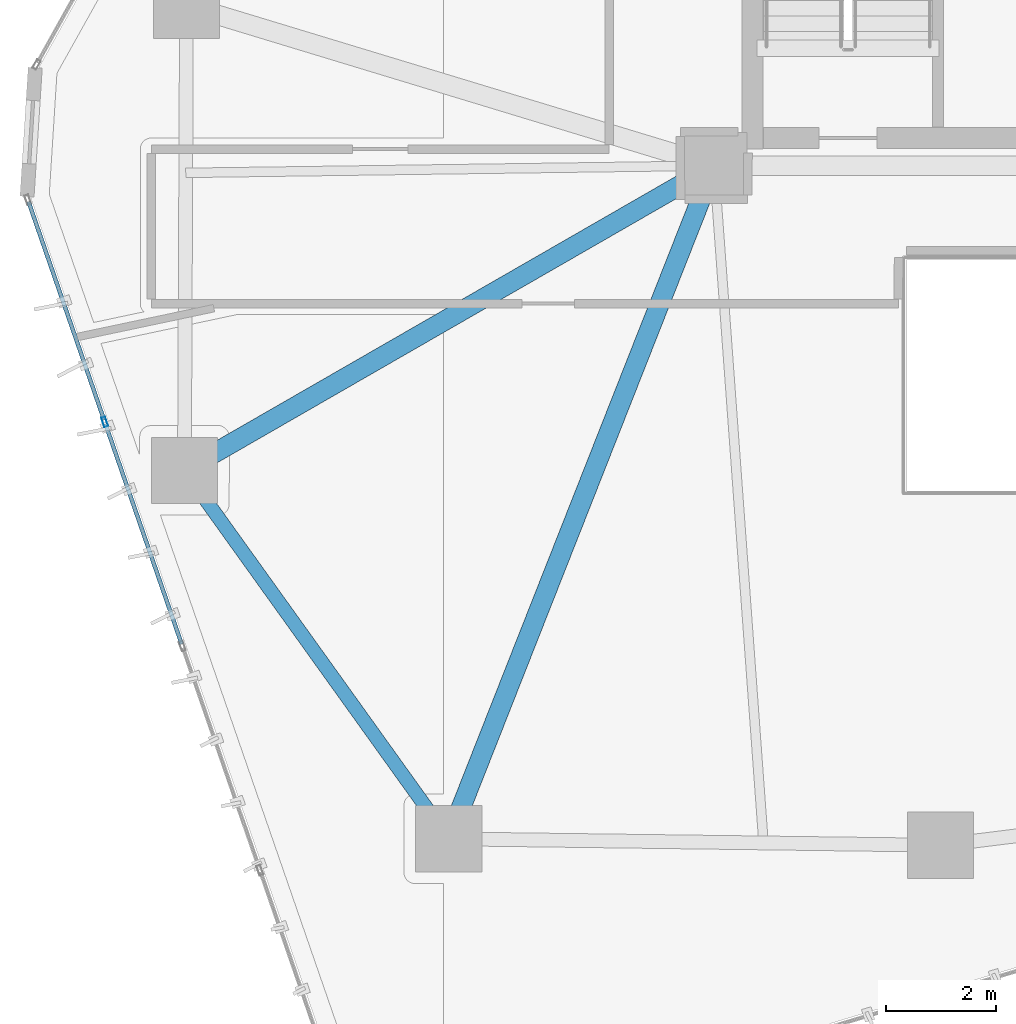
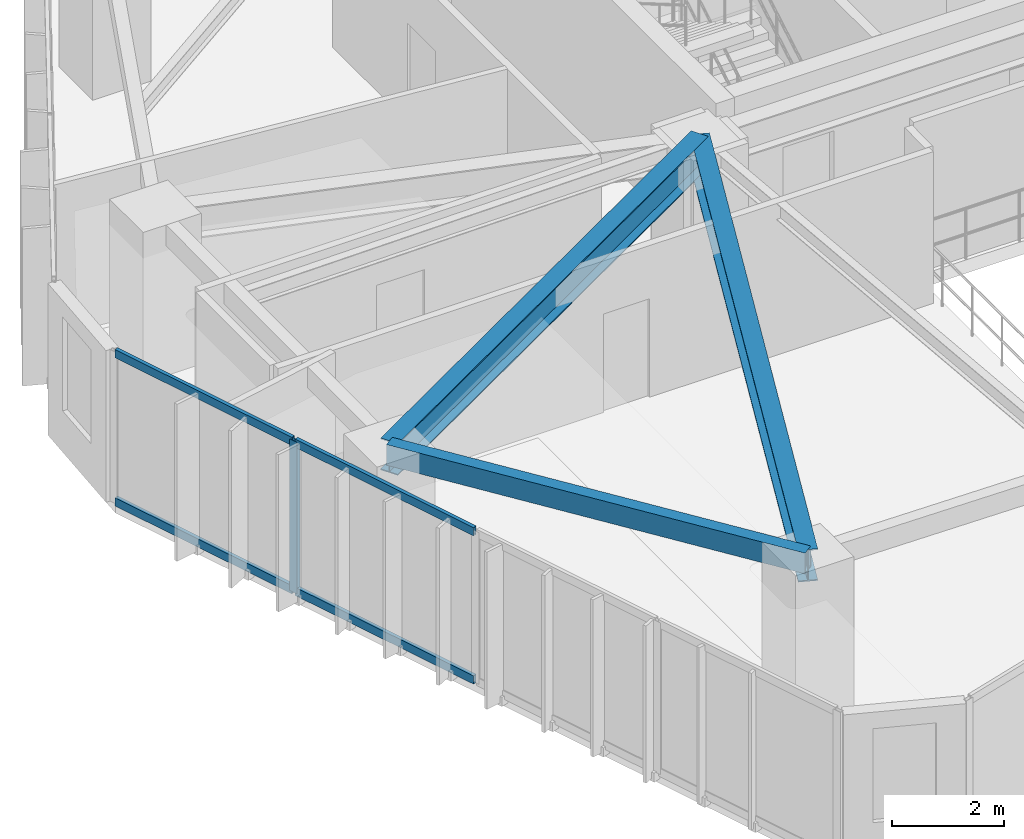
# One storey, part 3 of 21: 5 members, 3 beams, 1 element without a shape of its own.
"""IFC4 building model written with IfcOpenShell, lengths in metres."""

from ifc_helpers import new_model, si_unit, direction, frame, origin, origin_2d, place, context, subcontext, project, spatial, hollow_rectangle, i_section, extrude, source, transform, mapped, material, layer, layer_set, material_profile, profile_set, type_object, type_shapes, element, aggregate, save


model = new_model("IFC4")

# Units and contexts
model_context = context("Model", 3, precision=1e-05, world=origin(), true_north=direction((0.0, 1.0)))
body_context = subcontext(model_context, "Body", "Model", "MODEL_VIEW")
ifc_project = project(units=[si_unit("LENGTHUNIT", "METRE"), si_unit("AREAUNIT", "SQUARE_METRE"), si_unit("VOLUMEUNIT", "CUBIC_METRE"), si_unit("PLANEANGLEUNIT", "RADIAN"), si_unit("MASSUNIT", "GRAM", prefix="KILO")], contexts=[model_context])

# Site, building, storey
site_placement = place(None, origin())
site = spatial("IfcSite", under=ifc_project, at=site_placement, CompositionType="ELEMENT")
building_placement = place(site_placement, origin())
building = spatial("IfcBuilding", under=site, at=building_placement, Name="Talar Marvaseh", CompositionType="ELEMENT")
storey_placement = place(building_placement, frame((0.0, 0.0, 139.800048828125)))
storey = spatial("IfcBuildingStorey", under=building, at=storey_placement, Name="L36", CompositionType="ELEMENT", Elevation=139.800048828125)

# Beams
ifc_material_1 = material(Name="Steel S355", Category="steel")
ifc_material_profile_1 = material_profile(ifc_material_1, hollow_rectangle(XDim=0.25, YDim=0.449951171875, WallThickness=0.01611328125, at=origin_2d()), Name="RHS450x250x16")
ifc_profile_set_1 = profile_set([ifc_material_profile_1], Name="Steel S355")
beam_type_1 = type_object("IfcBeamType", Name="Zone 2 Perimeter Spandrel Beam RHS450x250x16", PredefinedType="SPANDREL", material=ifc_profile_set_1)
beam_1_placement = place(storey_placement, frame((13.89111328125, 13.299072265625, 3.0849609375), z_axis=(-0.582852871994, 0.812577706812, 0.0), x_axis=(-0.812577706812, -0.582852871994, 0.0)))
element("IfcBeam", 1, at=beam_1_placement, inside=storey, type_object=beam_type_1, Name="L36 Zone 2 Perimeter Spandrel Beam RHS450x250x16", PredefinedType="SPANDREL", context=body_context, shape_type="SweptSolid", body=[
    extrude(hollow_rectangle(XDim=0.25, YDim=0.449951171875, WallThickness=0.01611328125, at=origin_2d()), origin(), (0.0, 0.0, 1.0), 8.21826171875),
])
ifc_material_profile_2 = material_profile(ifc_material_1, i_section(OverallWidth=0.35498046875, OverallDepth=0.695068359375, WebThickness=0.015380859375, FlangeThickness=0.02490234375, at=origin_2d()), Name="W690x217")
ifc_profile_set_2 = profile_set([ifc_material_profile_2], Name="Steel S355")
beam_type_2 = type_object("IfcBeamType", Name="Zone 2 Radial Floor Girder W690x217", PredefinedType="BEAM", material=ifc_profile_set_2)
beam_2_placement = place(storey_placement, frame((13.89111328125, 13.299072265625, 2.96240234375), z_axis=(0.366683712786, 0.930345664136, 0.0), x_axis=(-0.930345664136, 0.366683712786, 0.0)))
element("IfcBeam", 2, at=beam_2_placement, inside=storey, type_object=beam_type_2, Name="L36 Zone 2 Radial Floor Girder W690x217", PredefinedType="BEAM", context=body_context, shape_type="SweptSolid", body=[
    extrude(i_section(OverallWidth=0.35498046875, OverallDepth=0.695068359375, WebThickness=0.015380859375, FlangeThickness=0.02490234375, at=origin_2d()), origin(), (0.0, 0.0, 1.0), 13.114501953125),
])
beam_3_placement = place(storey_placement, frame((9.10107421875, 19.97705078125, 2.96240234375), z_axis=(0.866765990926, 0.498715065919, 0.0), x_axis=(-0.498715065919, 0.866765990926, 0.0)))
element("IfcBeam", 3, at=beam_3_placement, inside=storey, type_object=beam_type_2, Name="L36 Zone 2 Radial Floor Girder W690x217", PredefinedType="BEAM", context=body_context, shape_type="SweptSolid", body=[
    extrude(i_section(OverallWidth=0.35498046875, OverallDepth=0.695068359375, WebThickness=0.015380859375, FlangeThickness=0.02490234375, at=origin_2d()), origin(), (0.0, 0.0, 1.0), 11.074462890625),
])

# Curtain wall, members
ifc_material_2 = material(Name="Architectural Aluminium", Category="aluminium")
ifc_layer = layer(ifc_material_2, 0.199951171875)
ifc_layer_set = layer_set([ifc_layer], Name="Architectural Aluminium")
curtain_wall_type = type_object("IfcCurtainWallType", Name="Unitised Acoustic Library Curtain Wall Z2", PredefinedType="NOTDEFINED", material=ifc_layer_set)
curtain_wall_placement = place(storey_placement, origin())
curtain_wall = element("IfcCurtainWall", 4, at=curtain_wall_placement, inside=storey, type_object=curtain_wall_type, Name="L36 Unitised Acoustic Library Curtain Wall Z2", PredefinedType="NOTDEFINED")
ifc_material_profile_3 = material_profile(ifc_material_2, hollow_rectangle(XDim=0.074951171875, YDim=0.179931640625, WallThickness=0.0048828125, at=origin_2d()), Name="RHS180x75x5")
ifc_profile_set_3 = profile_set([ifc_material_profile_3], Name="Architectural Aluminium")
member_type_1 = type_object("IfcMemberType", Name="Unitised Curtain Wall Standard Mullion RHS180x75x5", PredefinedType="MULLION", material=ifc_profile_set_3)
shared_shape_1 = source(origin(), body_context, "Body", "SweptSolid", [
    extrude(hollow_rectangle(XDim=0.074951171875, YDim=0.179931640625, WallThickness=0.0048828125, at=origin_2d()), origin(), (0.0, 0.0, 1.0), 3.31005859375),
])
type_shapes(member_type_1, [shared_shape_1])
member_1_placement = place(storey_placement, frame((7.6572265625, 20.8544921875, 0.0), z_axis=(0.0, 0.0, 1.0), x_axis=(-0.944968852239, -0.327160309784, 0.0)))
member_1 = element("IfcMember", 5, at=member_1_placement, type_object=member_type_1, Name="CW-Z2 mullion 4", PredefinedType="MULLION", context=body_context, shape_type="MappedRepresentation", body=[
    mapped(shared_shape_1, transform((0.0, 0.0, 0.0), x_axis=(1.0, 0.0, 0.0), y_axis=(0.0, 1.0, 0.0), z_axis=(0.0, 0.0, 1.0), scale=1.0)),
])
ifc_material_profile_4 = material_profile(ifc_material_2, hollow_rectangle(XDim=0.074951171875, YDim=0.179931640625, WallThickness=0.0048828125, at=origin_2d()), Name="RHS180x75x5")
ifc_profile_set_4 = profile_set([ifc_material_profile_4], Name="Architectural Aluminium")
member_type_2 = type_object("IfcMemberType", Name="Unitised Curtain Wall Transom RHS180x75x5", PredefinedType="USERDEFINED", material=ifc_profile_set_4)
shared_shape_2 = source(origin(), body_context, "Body", "SweptSolid", [
    extrude(hollow_rectangle(XDim=0.074951171875, YDim=0.179931640625, WallThickness=0.0048828125, at=origin_2d()), origin(), (0.0, 0.0, 1.0), 4.222900390625),
])
member_2_placement = place(storey_placement, frame((9.051025390625, 16.82861328125, 0.037353515625), z_axis=(-0.327168147933, 0.944966138535, 0.0), x_axis=(-0.944966138535, -0.327168147933, 0.0)))
member_2 = element("IfcMember", 6, at=member_2_placement, type_object=member_type_2, Name="CW-Z2 transom 3.1", ObjectType="TRANSOM", PredefinedType="USERDEFINED", context=body_context, shape_type="MappedRepresentation", body=[
    mapped(shared_shape_2, transform((0.0, 0.0, 0.0), x_axis=(1.0, 0.0, 0.0), y_axis=(0.0, 1.0, 0.0), z_axis=(0.0, 0.0, 1.0), scale=1.0)),
])
member_3_placement = place(storey_placement, frame((9.051025390625, 16.82861328125, 3.2724609375), z_axis=(-0.327168147933, 0.944966138535, 0.0), x_axis=(-0.944966138535, -0.327168147933, 0.0)))
member_3 = element("IfcMember", 7, at=member_3_placement, type_object=member_type_2, Name="CW-Z2 transom 3.2", ObjectType="TRANSOM", PredefinedType="USERDEFINED", context=body_context, shape_type="MappedRepresentation", body=[
    mapped(shared_shape_2, transform((0.0, 0.0, 0.0), x_axis=(1.0, 0.0, 0.0), y_axis=(0.0, 1.0, 0.0), z_axis=(0.0, 0.0, 1.0), scale=1.0)),
])
shared_shape_3 = source(origin(), body_context, "Body", "SweptSolid", [
    extrude(hollow_rectangle(XDim=0.074951171875, YDim=0.179931640625, WallThickness=0.0048828125, at=origin_2d()), origin(), (0.0, 0.0, 1.0), 4.185546875),
])
type_shapes(member_type_2, [shared_shape_2, shared_shape_3])
member_4_placement = place(storey_placement, frame((7.64501953125, 20.889892578125, 0.037353515625), z_axis=(-0.327178680101, 0.944962492, 0.0), x_axis=(-0.944962492, -0.327178680101, 0.0)))
member_4 = element("IfcMember", 8, at=member_4_placement, type_object=member_type_2, Name="CW-Z2 transom 4.1", ObjectType="TRANSOM", PredefinedType="USERDEFINED", context=body_context, shape_type="MappedRepresentation", body=[
    mapped(shared_shape_3, transform((0.0, 0.0, 0.0), x_axis=(1.0, 0.0, 0.0), y_axis=(0.0, 1.0, 0.0), z_axis=(0.0, 0.0, 1.0), scale=1.0)),
])
member_5_placement = place(storey_placement, frame((7.64501953125, 20.889892578125, 3.2724609375), z_axis=(-0.327178680101, 0.944962492, 0.0), x_axis=(-0.944962492, -0.327178680101, 0.0)))
member_5 = element("IfcMember", 9, at=member_5_placement, type_object=member_type_2, Name="CW-Z2 transom 4.2", ObjectType="TRANSOM", PredefinedType="USERDEFINED", context=body_context, shape_type="MappedRepresentation", body=[
    mapped(shared_shape_3, transform((0.0, 0.0, 0.0), x_axis=(1.0, 0.0, 0.0), y_axis=(0.0, 1.0, 0.0), z_axis=(0.0, 0.0, 1.0), scale=1.0)),
])
aggregate(curtain_wall, [member_1, member_2, member_3, member_4, member_5])

save(model, "model.ifc")
